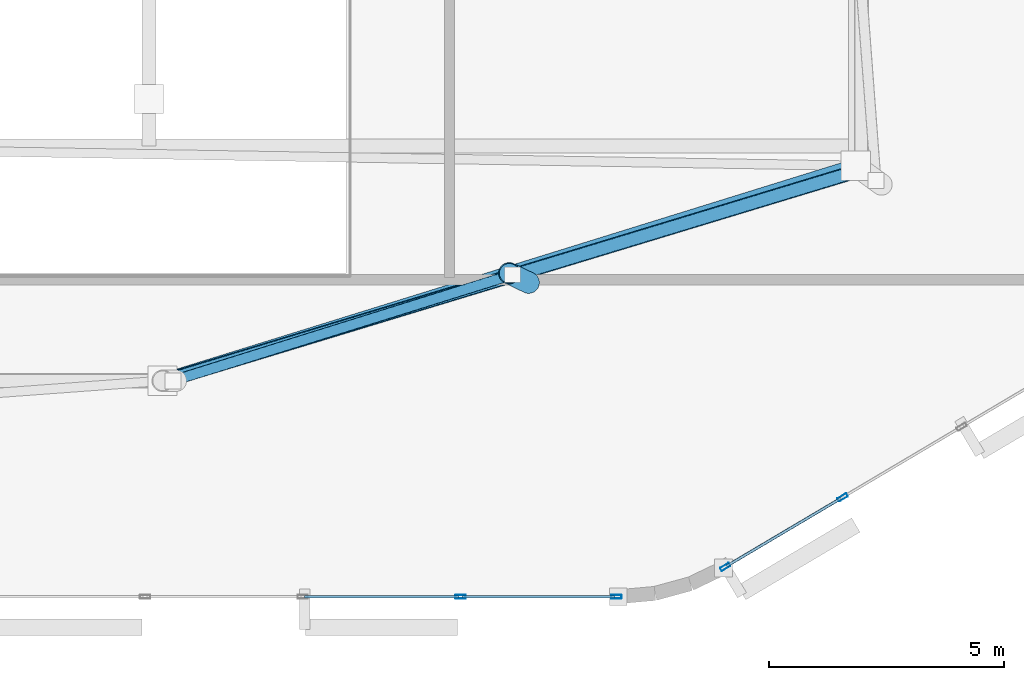
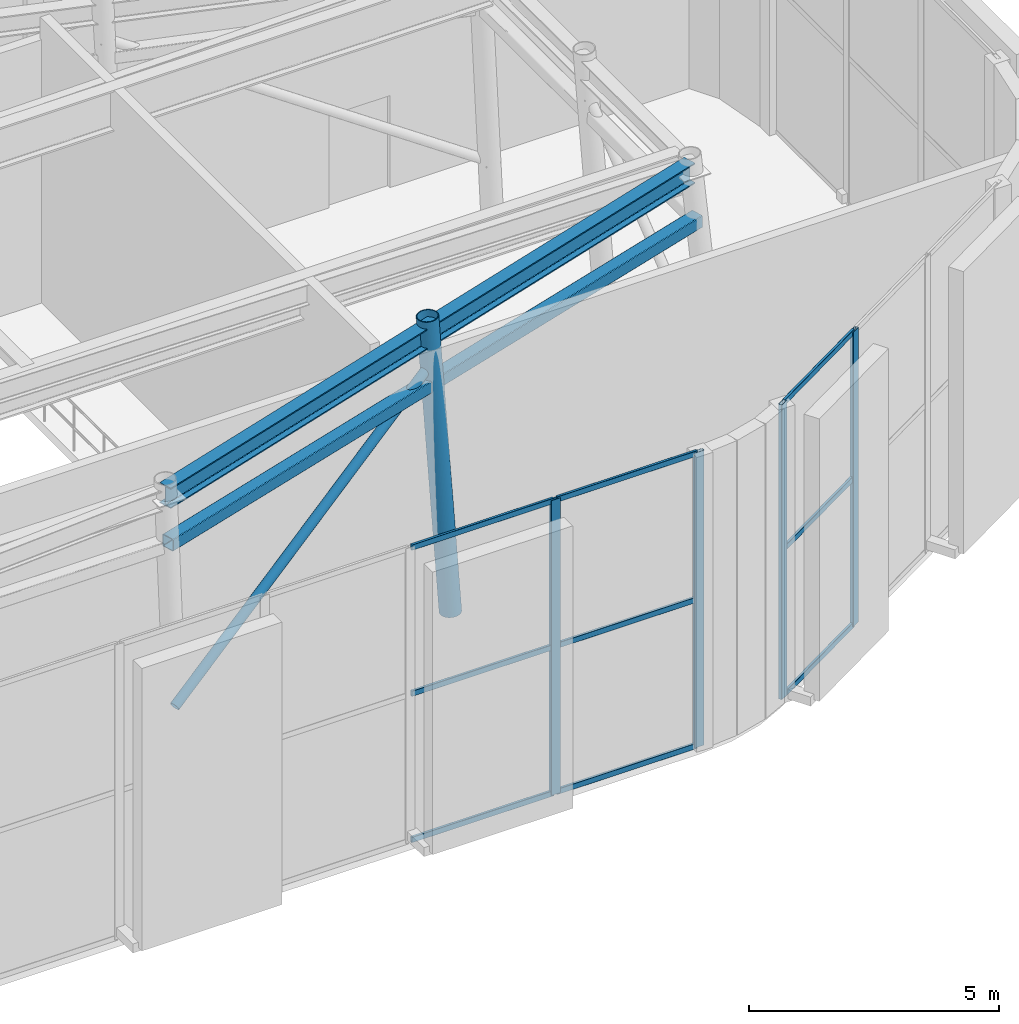
# One storey, part 11 of 20: 16 members, 1 beam, 2 elements without a shape of their own.
"""IFC4 building model written with IfcOpenShell, lengths in metres."""

from ifc_helpers import new_model, si_unit, direction, frame, origin, origin_2d, place, context, subcontext, project, spatial, hollow_rectangle, hollow_circle, i_section, extrude, material, layer, layer_set, material_profile, profile_set, type_object, element, aggregate, save


model = new_model("IFC4")

# Units and contexts
model_context = context("Model", 3, precision=1e-05, world=origin(), true_north=direction((0.0, 1.0)))
body_context = subcontext(model_context, "Body", "Model", "MODEL_VIEW")
ifc_project = project(units=[si_unit("LENGTHUNIT", "METRE"), si_unit("AREAUNIT", "SQUARE_METRE"), si_unit("VOLUMEUNIT", "CUBIC_METRE"), si_unit("PLANEANGLEUNIT", "RADIAN"), si_unit("MASSUNIT", "GRAM", prefix="KILO")], contexts=[model_context])

# Site, building, storey
site_placement = place(None, origin())
site = spatial("IfcSite", under=ifc_project, at=site_placement, CompositionType="ELEMENT")
building_placement = place(site_placement, origin())
building = spatial("IfcBuilding", under=site, at=building_placement, Name="An Khanh Terracotta Commons", CompositionType="ELEMENT")
storey_placement = place(building_placement, frame((0.0, 0.0, 308.0)))
storey = spatial("IfcBuildingStorey", under=building, at=storey_placement, Name="L79 Crown Damper Gallery", CompositionType="ELEMENT", Elevation=308.0)

# Beam
ifc_material_1 = material(Name="Steel S355J2", Category="steel")
ifc_material_profile_1 = material_profile(ifc_material_1, i_section(OverallWidth=0.300048828125, OverallDepth=0.5, WebThickness=0.014404296875, FlangeThickness=0.028076171875, FilletRadius=0.027099609375, at=origin_2d()), Name="HEB500")
ifc_profile_set_1 = profile_set([ifc_material_profile_1], Name="Steel S355J2")
beam_type = type_object("IfcBeamType", Name="BM-HEB500", PredefinedType="BEAM", material=ifc_profile_set_1)
beam_placement = place(storey_placement, frame((48.090087890625, 15.199951171875, 6.699951171875), z_axis=(0.955075393196, 0.296362941865, 0.0), x_axis=(-0.296362941865, 0.955075393196, 0.0)))
element("IfcBeam", 1, at=beam_placement, inside=storey, type_object=beam_type, Name="L79 Crown Damper Gallery CROWN FRAME Ring Beam 2", PredefinedType="BEAM", context=body_context, shape_type="SweptSolid", body=[
    extrude(i_section(OverallWidth=0.300048828125, OverallDepth=0.5, WebThickness=0.014404296875, FlangeThickness=0.028076171875, FilletRadius=0.027099609375, at=origin_2d()), origin(), (0.0, 0.0, 1.0), 15.454345703125),
])

# Members
ifc_material_2 = material(Name="Steel S460ML", Category="steel")
ifc_material_profile_2 = material_profile(ifc_material_2, hollow_circle(Radius=0.109619140625, WallThickness=0.010009765625, at=origin_2d()), Name="CHS219.1x10")
ifc_profile_set_2 = profile_set([ifc_material_profile_2], Name="Steel S460ML")
member_type_1 = type_object("IfcMemberType", Name="CROWN FRAME BRACE CHS219", PredefinedType="BRACE", material=ifc_profile_set_2)
member_1_placement = place(storey_placement, frame((48.30810546875, 15.199951171875, 1.472900390625), z_axis=(0.821069135349, 0.25651303607, 0.509947582897), x_axis=(-0.298199724278, 0.954503496296, 0.0)))
element("IfcMember", 2, at=member_1_placement, inside=storey, type_object=member_type_1, Name="L79 Crown Damper Gallery CROWN FRAME Wind Diagonal 2", PredefinedType="BRACE", context=body_context, shape_type="SweptSolid", body=[
    extrude(hollow_circle(Radius=0.109619140625, WallThickness=0.010009765625, at=origin_2d()), origin(), (0.0, 0.0, 1.0), 8.802978515625),
])
ifc_material_profile_3 = material_profile(ifc_material_2, hollow_circle(Radius=0.228515625, WallThickness=0.02001953125, at=origin_2d()), Name="CHS457x20")
ifc_profile_set_3 = profile_set([ifc_material_profile_3], Name="Steel S460ML")
member_type_2 = type_object("IfcMemberType", Name="CROWN FRAME RIB CHS457", PredefinedType="STRUT", material=ifc_profile_set_3)
member_2_placement = place(storey_placement, frame((55.885009765625, 17.2900390625, -0.1201171875), z_axis=(-0.057208288487, 0.027560934277, 0.997981766682), x_axis=(-0.434022745113, -0.900901912932, 0.0)))
element("IfcMember", 3, at=member_2_placement, inside=storey, type_object=member_type_2, Name="L79 Crown Damper Gallery CROWN FRAME Facet Strut 2", PredefinedType="STRUT", context=body_context, shape_type="SweptSolid", body=[
    extrude(hollow_circle(Radius=0.228515625, WallThickness=0.02001953125, at=origin_2d()), origin(), (0.0, 0.0, 1.0), 7.2548828125),
])
ifc_material_profile_4 = material_profile(ifc_material_2, hollow_rectangle(XDim=0.300048828125, YDim=0.300048828125, WallThickness=0.01611328125, InnerFilletRadius=0.01611328125, OuterFilletRadius=0.031982421875, at=origin_2d()), Name="SHS300x300x16")
ifc_profile_set_4 = profile_set([ifc_material_profile_4], Name="Steel S460ML")
member_type_3 = type_object("IfcMemberType", Name="CROWN FRAME RING SHS300", PredefinedType="CHORD", material=ifc_profile_set_4)
member_3_placement = place(storey_placement, frame((48.152099609375, 15.199951171875, 5.527099609375), z_axis=(0.95699960405, 0.290089223943, 0.0), x_axis=(-0.290089223943, 0.95699960405, 0.0)))
element("IfcMember", 4, at=member_3_placement, inside=storey, type_object=member_type_3, Name="L79 Crown Damper Gallery CROWN FRAME Sill Ring Chord 2", PredefinedType="CHORD", context=body_context, shape_type="SweptSolid", body=[
    extrude(hollow_rectangle(XDim=0.300048828125, YDim=0.300048828125, WallThickness=0.01611328125, InnerFilletRadius=0.01611328125, OuterFilletRadius=0.031982421875, at=origin_2d()), origin(), (0.0, 0.0, 1.0), 15.484619140625),
])

# Curtain wall, members
ifc_material_3 = material(Name="Anodised Aluminium 6063-T6", Category="aluminium")
ifc_layer = layer(ifc_material_3, 0.25, Name="Anodised Aluminium 6063-T6")
ifc_layer_set = layer_set([ifc_layer], Name="Anodised Aluminium 6063-T6")
curtain_wall_type = type_object("IfcCurtainWallType", Name="CW-SYS-05", PredefinedType="USERDEFINED", material=ifc_layer_set)
curtain_wall_1_placement = place(storey_placement, origin())
curtain_wall_1 = element("IfcCurtainWall", 5, at=curtain_wall_1_placement, inside=storey, type_object=curtain_wall_type, Name="L79 Crown Damper Gallery CW-05 Unitised Curtain Wall CW-L79-04", ObjectType="UNITISED CURTAIN WALL", PredefinedType="USERDEFINED")
ifc_material_profile_5 = material_profile(ifc_material_3, hollow_rectangle(XDim=0.080078125, YDim=0.219970703125, WallThickness=0.0048828125, InnerFilletRadius=0.0048828125, OuterFilletRadius=0.010009765625, at=origin_2d()), Name="RHS220x80x5")
ifc_profile_set_5 = profile_set([ifc_material_profile_5], Name="Anodised Aluminium 6063-T6")
member_type_4 = type_object("IfcMemberType", Name="CWM-RHS220x80x5", PredefinedType="MULLION", material=ifc_profile_set_5)
member_4_placement = place(storey_placement, frame((54.4345703125, 10.60009765625, 0.0), z_axis=(0.0, 0.0, 1.0), x_axis=(0.0, 1.0, 0.0)))
member_4 = element("IfcMember", 6, at=member_4_placement, type_object=member_type_4, Name="CW-05 mullion 10", PredefinedType="MULLION", context=body_context, shape_type="SweptSolid", body=[
    extrude(hollow_rectangle(XDim=0.080078125, YDim=0.219970703125, WallThickness=0.0048828125, InnerFilletRadius=0.0048828125, OuterFilletRadius=0.010009765625, at=origin_2d()), origin(), (0.0, 0.0, 1.0), 7.199951171875),
])
member_5_placement = place(storey_placement, frame((57.75390625, 10.60009765625, 0.0), z_axis=(0.0, 0.0, 1.0), x_axis=(0.0, 1.0, 0.0)))
member_5 = element("IfcMember", 7, at=member_5_placement, type_object=member_type_4, Name="CW-05 mullion 11", PredefinedType="MULLION", context=body_context, shape_type="SweptSolid", body=[
    extrude(hollow_rectangle(XDim=0.080078125, YDim=0.219970703125, WallThickness=0.0048828125, InnerFilletRadius=0.0048828125, OuterFilletRadius=0.010009765625, at=origin_2d()), origin(), (0.0, 0.0, 1.0), 7.199951171875),
])

curtain_wall_2_placement = place(storey_placement, origin())
curtain_wall_2 = element("IfcCurtainWall", 8, at=curtain_wall_2_placement, inside=storey, type_object=curtain_wall_type, Name="L79 Crown Damper Gallery CW-05 Unitised Curtain Wall CW-L79-08", ObjectType="UNITISED CURTAIN WALL", PredefinedType="USERDEFINED")
member_6_placement = place(storey_placement, frame((60.071533203125, 11.2353515625, 0.0), z_axis=(0.0, 0.0, 1.0), x_axis=(-0.509780687063, 0.860304394443, 0.0)))
member_6 = element("IfcMember", 9, at=member_6_placement, type_object=member_type_4, Name="CW-05 mullion 1", PredefinedType="MULLION", context=body_context, shape_type="SweptSolid", body=[
    extrude(hollow_rectangle(XDim=0.080078125, YDim=0.219970703125, WallThickness=0.0048828125, InnerFilletRadius=0.0048828125, OuterFilletRadius=0.010009765625, at=origin_2d()), origin(), (0.0, 0.0, 1.0), 7.199951171875),
])
member_7_placement = place(storey_placement, frame((62.572265625, 12.71728515625, 0.0), z_axis=(0.0, 0.0, 1.0), x_axis=(-0.509780687063, 0.860304394443, 0.0)))
member_7 = element("IfcMember", 10, at=member_7_placement, type_object=member_type_4, Name="CW-05 mullion 2", PredefinedType="MULLION", context=body_context, shape_type="SweptSolid", body=[
    extrude(hollow_rectangle(XDim=0.080078125, YDim=0.219970703125, WallThickness=0.0048828125, InnerFilletRadius=0.0048828125, OuterFilletRadius=0.010009765625, at=origin_2d()), origin(), (0.0, 0.0, 1.0), 7.199951171875),
])

# Member
ifc_material_profile_6 = material_profile(ifc_material_3, hollow_rectangle(XDim=0.06005859375, YDim=0.135009765625, WallThickness=0.003662109375, InnerFilletRadius=0.003662109375, OuterFilletRadius=0.007080078125, at=origin_2d()), Name="RHS135x60x3.6")
ifc_profile_set_6 = profile_set([ifc_material_profile_6], Name="Anodised Aluminium 6063-T6")
member_type_5 = type_object("IfcMemberType", Name="CWT-RHS135x60x3.6", PredefinedType="USERDEFINED", material=ifc_profile_set_6)
member_8_placement = place(storey_placement, frame((51.115234375, 10.60009765625, 0.030029296875), z_axis=(1.0, 0.0, 0.0), x_axis=(0.0, 1.0, 0.0)))
member_8 = element("IfcMember", 11, at=member_8_placement, type_object=member_type_5, Name="CW-05 transom 9.1", ObjectType="TRANSOM", PredefinedType="USERDEFINED", context=body_context, shape_type="SweptSolid", body=[
    extrude(hollow_rectangle(XDim=0.06005859375, YDim=0.135009765625, WallThickness=0.003662109375, InnerFilletRadius=0.003662109375, OuterFilletRadius=0.007080078125, at=origin_2d()), origin(), (0.0, 0.0, 1.0), 3.279296875),
])

member_9_placement = place(storey_placement, frame((51.115234375, 10.60009765625, 3.60009765625), z_axis=(1.0, 0.0, 0.0), x_axis=(0.0, 1.0, 0.0)))
member_9 = element("IfcMember", 12, at=member_9_placement, type_object=member_type_5, Name="CW-05 transom 9.2", ObjectType="TRANSOM", PredefinedType="USERDEFINED", context=body_context, shape_type="SweptSolid", body=[
    extrude(hollow_rectangle(XDim=0.06005859375, YDim=0.135009765625, WallThickness=0.003662109375, InnerFilletRadius=0.003662109375, OuterFilletRadius=0.007080078125, at=origin_2d()), origin(), (0.0, 0.0, 1.0), 3.279296875),
])

member_10_placement = place(storey_placement, frame((51.115234375, 10.60009765625, 7.169921875), z_axis=(1.0, 0.0, 0.0), x_axis=(0.0, 1.0, 0.0)))
member_10 = element("IfcMember", 13, at=member_10_placement, type_object=member_type_5, Name="CW-05 transom 9.3", ObjectType="TRANSOM", PredefinedType="USERDEFINED", context=body_context, shape_type="SweptSolid", body=[
    extrude(hollow_rectangle(XDim=0.06005859375, YDim=0.135009765625, WallThickness=0.003662109375, InnerFilletRadius=0.003662109375, OuterFilletRadius=0.007080078125, at=origin_2d()), origin(), (0.0, 0.0, 1.0), 3.279296875),
])

member_11_placement = place(storey_placement, frame((54.474609375, 10.60009765625, 0.030029296875), z_axis=(1.0, 0.0, 0.0), x_axis=(0.0, 1.0, 0.0)))
member_11 = element("IfcMember", 14, at=member_11_placement, type_object=member_type_5, Name="CW-05 transom 10.1", ObjectType="TRANSOM", PredefinedType="USERDEFINED", context=body_context, shape_type="SweptSolid", body=[
    extrude(hollow_rectangle(XDim=0.06005859375, YDim=0.135009765625, WallThickness=0.003662109375, InnerFilletRadius=0.003662109375, OuterFilletRadius=0.007080078125, at=origin_2d()), origin(), (0.0, 0.0, 1.0), 3.239501953125),
])

member_12_placement = place(storey_placement, frame((54.474609375, 10.60009765625, 3.60009765625), z_axis=(1.0, 0.0, 0.0), x_axis=(0.0, 1.0, 0.0)))
member_12 = element("IfcMember", 15, at=member_12_placement, type_object=member_type_5, Name="CW-05 transom 10.2", ObjectType="TRANSOM", PredefinedType="USERDEFINED", context=body_context, shape_type="SweptSolid", body=[
    extrude(hollow_rectangle(XDim=0.06005859375, YDim=0.135009765625, WallThickness=0.003662109375, InnerFilletRadius=0.003662109375, OuterFilletRadius=0.007080078125, at=origin_2d()), origin(), (0.0, 0.0, 1.0), 3.239501953125),
])

member_13_placement = place(storey_placement, frame((54.474609375, 10.60009765625, 7.169921875), z_axis=(1.0, 0.0, 0.0), x_axis=(0.0, 1.0, 0.0)))
member_13 = element("IfcMember", 16, at=member_13_placement, type_object=member_type_5, Name="CW-05 transom 10.3", ObjectType="TRANSOM", PredefinedType="USERDEFINED", context=body_context, shape_type="SweptSolid", body=[
    extrude(hollow_rectangle(XDim=0.06005859375, YDim=0.135009765625, WallThickness=0.003662109375, InnerFilletRadius=0.003662109375, OuterFilletRadius=0.007080078125, at=origin_2d()), origin(), (0.0, 0.0, 1.0), 3.239501953125),
])

aggregate(curtain_wall_1, [member_4, member_5, member_8, member_9, member_10, member_11, member_12, member_13])

member_14_placement = place(storey_placement, frame((60.105712890625, 11.255859375, 0.030029296875), z_axis=(0.860306963859, 0.509776350899, 0.0), x_axis=(-0.509776350899, 0.860306963859, 0.0)))
member_14 = element("IfcMember", 17, at=member_14_placement, type_object=member_type_5, Name="CW-05 transom 1.1", ObjectType="TRANSOM", PredefinedType="USERDEFINED", context=body_context, shape_type="SweptSolid", body=[
    extrude(hollow_rectangle(XDim=0.06005859375, YDim=0.135009765625, WallThickness=0.003662109375, InnerFilletRadius=0.003662109375, OuterFilletRadius=0.007080078125, at=origin_2d()), origin(), (0.0, 0.0, 1.0), 2.8271484375),
])

member_15_placement = place(storey_placement, frame((60.105712890625, 11.255859375, 3.60009765625), z_axis=(0.860306963859, 0.509776350899, 0.0), x_axis=(-0.509776350899, 0.860306963859, 0.0)))
member_15 = element("IfcMember", 18, at=member_15_placement, type_object=member_type_5, Name="CW-05 transom 1.2", ObjectType="TRANSOM", PredefinedType="USERDEFINED", context=body_context, shape_type="SweptSolid", body=[
    extrude(hollow_rectangle(XDim=0.06005859375, YDim=0.135009765625, WallThickness=0.003662109375, InnerFilletRadius=0.003662109375, OuterFilletRadius=0.007080078125, at=origin_2d()), origin(), (0.0, 0.0, 1.0), 2.8271484375),
])

member_16_placement = place(storey_placement, frame((60.105712890625, 11.255859375, 7.169921875), z_axis=(0.860306963859, 0.509776350899, 0.0), x_axis=(-0.509776350899, 0.860306963859, 0.0)))
member_16 = element("IfcMember", 19, at=member_16_placement, type_object=member_type_5, Name="CW-05 transom 1.3", ObjectType="TRANSOM", PredefinedType="USERDEFINED", context=body_context, shape_type="SweptSolid", body=[
    extrude(hollow_rectangle(XDim=0.06005859375, YDim=0.135009765625, WallThickness=0.003662109375, InnerFilletRadius=0.003662109375, OuterFilletRadius=0.007080078125, at=origin_2d()), origin(), (0.0, 0.0, 1.0), 2.8271484375),
])

aggregate(curtain_wall_2, [member_6, member_7, member_14, member_15, member_16])

save(model, "model.ifc")
